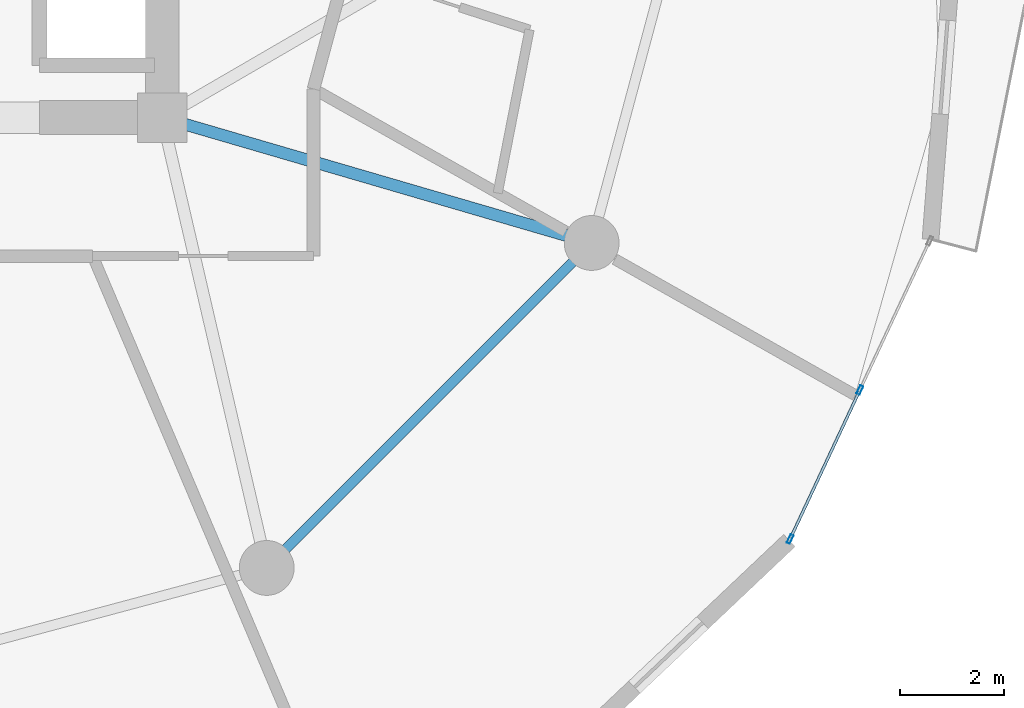
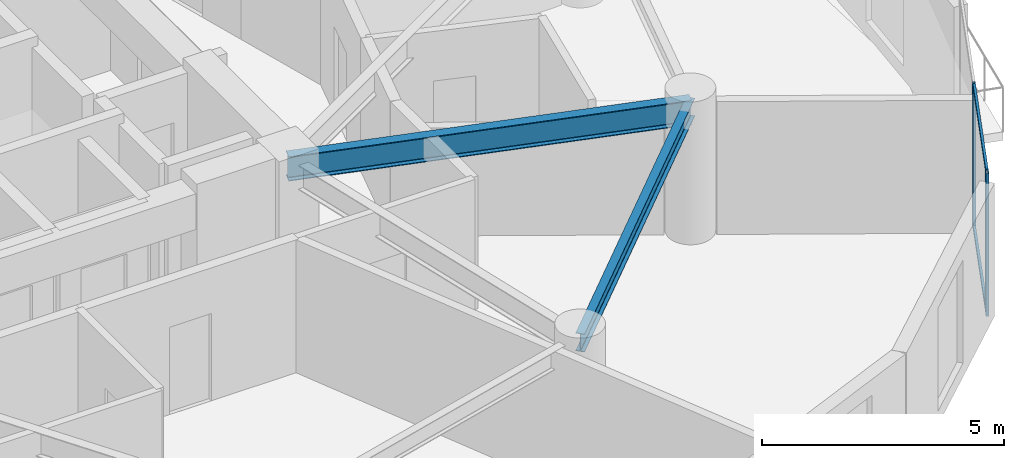
# One storey, part 10 of 25: 4 members, 2 beams, 1 element without a shape of its own.
"""IFC4 building model written with IfcOpenShell, lengths in metres."""

from ifc_helpers import new_model, si_unit, direction, frame, origin, origin_2d, place, context, subcontext, project, spatial, hollow_rectangle, i_section, extrude, source, transform, mapped, material, layer, layer_set, material_profile, profile_set, type_object, element, aggregate, save


model = new_model("IFC4")

# Units and contexts
model_context = context("Model", 3, precision=1e-05, world=origin(), true_north=direction((0.0, 1.0)))
body_context = subcontext(model_context, "Body", "Model", "MODEL_VIEW")
ifc_project = project(units=[si_unit("LENGTHUNIT", "METRE"), si_unit("AREAUNIT", "SQUARE_METRE"), si_unit("VOLUMEUNIT", "CUBIC_METRE"), si_unit("PLANEANGLEUNIT", "RADIAN"), si_unit("MASSUNIT", "GRAM", prefix="KILO")], contexts=[model_context])

# Site, building, storey
site_placement = place(None, origin())
site = spatial("IfcSite", under=ifc_project, at=site_placement, CompositionType="ELEMENT")
building_placement = place(site_placement, origin())
building = spatial("IfcBuilding", under=site, at=building_placement, Name="Solvirekh Grand Hotel", CompositionType="ELEMENT")
storey_placement = place(building_placement, frame((0.0, 0.0, 120.60009765625)))
storey = spatial("IfcBuildingStorey", under=building, at=storey_placement, Name="L30", CompositionType="ELEMENT", Elevation=120.60009765625)

# Beams
ifc_material_1 = material(Name="Steel S355", Category="steel")
ifc_material_profile_1 = material_profile(ifc_material_1, i_section(OverallWidth=0.22802734375, OverallDepth=0.616943359375, WebThickness=0.012939453125, FlangeThickness=0.02001953125, FilletRadius=0.014892578125, at=origin_2d()), Name="W610X140")
ifc_profile_set_1 = profile_set([ifc_material_profile_1], Name="Steel S355")
beam_type_1 = type_object("IfcBeamType", Name="Beam_Radial_W610", PredefinedType="BEAM", material=ifc_profile_set_1)
beam_1_placement = place(storey_placement, frame((6.5, -6.10009765625, 3.0419921875), z_axis=(0.959942195467, -0.28019811092, 0.0), x_axis=(0.28019811092, 0.959942195467, 0.0)))
element("IfcBeam", 1, at=beam_1_placement, inside=storey, type_object=beam_type_1, Name="L30 radial floor beam R12", PredefinedType="BEAM", context=body_context, shape_type="SweptSolid", body=[
    extrude(i_section(OverallWidth=0.22802734375, OverallDepth=0.616943359375, WebThickness=0.012939453125, FlangeThickness=0.02001953125, FilletRadius=0.014892578125, at=origin_2d()), origin(), (0.0, 0.0, 1.0), 8.56494140625),
])
ifc_material_profile_2 = material_profile(ifc_material_1, i_section(OverallWidth=0.18994140625, OverallDepth=0.45703125, WebThickness=0.009033203125, FlangeThickness=0.013916015625, FilletRadius=0.012939453125, at=origin_2d()), Name="W460X74")
ifc_profile_set_2 = profile_set([ifc_material_profile_2], Name="Steel S355")
beam_type_2 = type_object("IfcBeamType", Name="Spandrel_Ring_W460", PredefinedType="SPANDREL", material=ifc_profile_set_2)
beam_2_placement = place(storey_placement, frame((8.5, -14.721923828125, 3.121826171875), z_axis=(0.707106781187, 0.707106781187, 0.0), x_axis=(-0.707106781187, 0.707106781187, 0.0)))
element("IfcBeam", 2, at=beam_2_placement, inside=storey, type_object=beam_type_2, Name="L30 perimeter spandrel beam 11", PredefinedType="SPANDREL", context=body_context, shape_type="SweptSolid", body=[
    extrude(i_section(OverallWidth=0.18994140625, OverallDepth=0.45703125, WebThickness=0.009033203125, FlangeThickness=0.013916015625, FilletRadius=0.012939453125, at=origin_2d()), origin(), (0.0, 0.0, 1.0), 8.799072265625),
])

# Curtain wall, members
ifc_material_2 = material(Name="Anodized Bronze Aluminium 6063-T6", Category="aluminium")
ifc_layer = layer(ifc_material_2, 0.175048828125)
ifc_layer_set = layer_set([ifc_layer], Name="Anodized Bronze Aluminium 6063-T6")
curtain_wall_type = type_object("IfcCurtainWallType", Name="CW_Sys3_MidZoneFlushBronzeCW", PredefinedType="NOTDEFINED", material=ifc_layer_set)
curtain_wall_placement = place(storey_placement, origin())
curtain_wall = element("IfcCurtainWall", 3, at=curtain_wall_placement, inside=storey, type_object=curtain_wall_type, Name="L30 unitised bronze-glass curtain wall CW-L30-C01", PredefinedType="NOTDEFINED")
ifc_material_profile_3 = material_profile(ifc_material_2, hollow_rectangle(XDim=0.06494140625, YDim=0.175048828125, WallThickness=0.0048828125, at=origin_2d()), Name="ALU RHS 175X65X5")
ifc_profile_set_3 = profile_set([ifc_material_profile_3], Name="Anodized Bronze Aluminium 6063-T6")
member_type_1 = type_object("IfcMemberType", Name="CWMullion_Sys3", PredefinedType="MULLION", material=ifc_profile_set_3)
shared_shape_1 = source(origin(), body_context, "Body", "SweptSolid", [
    extrude(hollow_rectangle(XDim=0.06494140625, YDim=0.175048828125, WallThickness=0.0048828125, at=origin_2d()), origin(), (0.0, 0.0, 1.0), 3.599853515625),
])
member_1_placement = place(storey_placement, frame((18.521728515625, -14.169677734375, 0.0), z_axis=(0.0, 0.0, 1.0), x_axis=(-0.905564495067, 0.424208610562, 0.0)))
member_1 = element("IfcMember", 4, at=member_1_placement, type_object=member_type_1, Name="U03 mullion 1", PredefinedType="MULLION", context=body_context, shape_type="MappedRepresentation", body=[
    mapped(shared_shape_1, transform((0.0, 0.0, 0.0), x_axis=(1.0, 0.0, 0.0), y_axis=(0.0, 1.0, 0.0), z_axis=(0.0, 0.0, 1.0), scale=1.0)),
])
member_2_placement = place(storey_placement, frame((19.85888671875, -11.31494140625, 0.0), z_axis=(0.0, 0.0, 1.0), x_axis=(-0.905564495067, 0.424208610562, 0.0)))
member_2 = element("IfcMember", 5, at=member_2_placement, type_object=member_type_1, Name="U03 mullion 2", PredefinedType="MULLION", context=body_context, shape_type="MappedRepresentation", body=[
    mapped(shared_shape_1, transform((0.0, 0.0, 0.0), x_axis=(1.0, 0.0, 0.0), y_axis=(0.0, 1.0, 0.0), z_axis=(0.0, 0.0, 1.0), scale=1.0)),
])
ifc_material_profile_4 = material_profile(ifc_material_2, hollow_rectangle(XDim=0.054931640625, YDim=0.1201171875, WallThickness=0.00390625, at=origin_2d()), Name="ALU RHS 120X55X4")
ifc_profile_set_4 = profile_set([ifc_material_profile_4], Name="Anodized Bronze Aluminium 6063-T6")
member_type_2 = type_object("IfcMemberType", Name="CWTransom_Sys3", PredefinedType="USERDEFINED", material=ifc_profile_set_4)
shared_shape_2 = source(origin(), body_context, "Body", "SweptSolid", [
    extrude(hollow_rectangle(XDim=0.054931640625, YDim=0.1201171875, WallThickness=0.00390625, at=origin_2d()), origin(), (0.0, 0.0, 1.0), 3.087158203125),
])
member_3_placement = place(storey_placement, frame((18.53564453125, -14.14013671875, 0.02734375), z_axis=(0.424196805099, 0.905570025202, 0.0), x_axis=(-0.905570025202, 0.424196805099, 0.0)))
member_3 = element("IfcMember", 6, at=member_3_placement, type_object=member_type_2, Name="U03 transom 1.1", ObjectType="TRANSOM", PredefinedType="USERDEFINED", context=body_context, shape_type="MappedRepresentation", body=[
    mapped(shared_shape_2, transform((0.0, 0.0, 0.0), x_axis=(1.0, 0.0, 0.0), y_axis=(0.0, 1.0, 0.0), z_axis=(0.0, 0.0, 1.0), scale=1.0)),
])
member_4_placement = place(storey_placement, frame((18.53564453125, -14.14013671875, 3.572509765625), z_axis=(0.424196805099, 0.905570025202, 0.0), x_axis=(-0.905570025202, 0.424196805099, 0.0)))
member_4 = element("IfcMember", 7, at=member_4_placement, type_object=member_type_2, Name="U03 transom 1.2", ObjectType="TRANSOM", PredefinedType="USERDEFINED", context=body_context, shape_type="MappedRepresentation", body=[
    mapped(shared_shape_2, transform((0.0, 0.0, 0.0), x_axis=(1.0, 0.0, 0.0), y_axis=(0.0, 1.0, 0.0), z_axis=(0.0, 0.0, 1.0), scale=1.0)),
])
aggregate(curtain_wall, [member_1, member_2, member_3, member_4])

save(model, "model.ifc")
